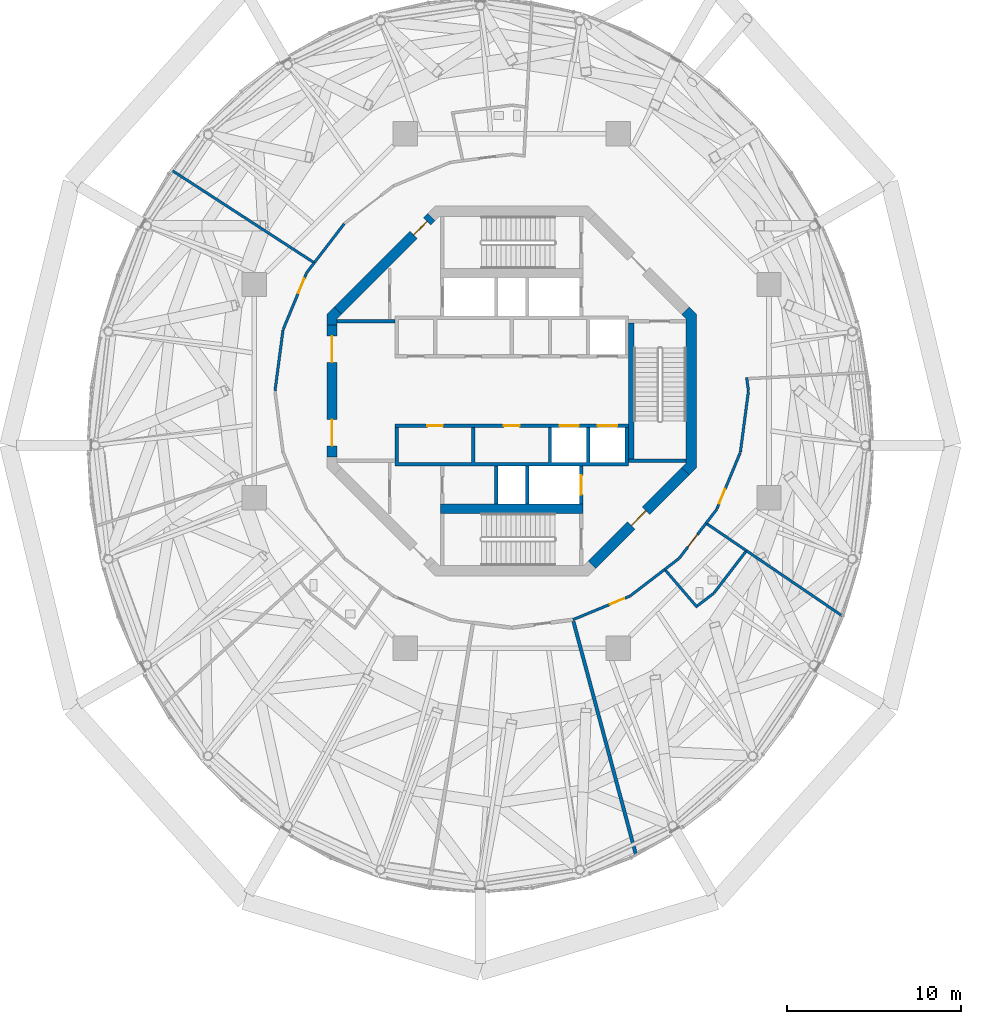
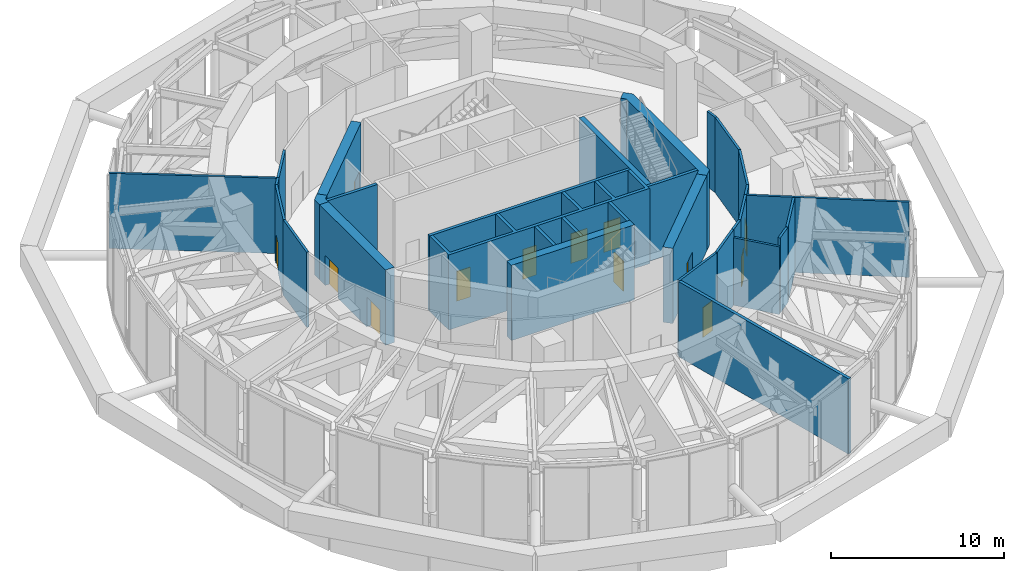
# One storey, part 14 of 22: 33 walls, 13 doors, 13 openings.
"""IFC4 building model written with IfcOpenShell, lengths in metres."""

from ifc_helpers import new_model, si_unit, direction, frame, frame_2d, origin, place, context, subcontext, project, spatial, polyline, rectangle, outline, extrude, material, layer, layer_set, type_object, element, fill, save


model = new_model("IFC4")

# Units and contexts
model_context = context("Model", 3, precision=1e-05, world=origin(), true_north=direction((0.0, 1.0)))
body_context = subcontext(model_context, "Body", "Model", "MODEL_VIEW")
ifc_project = project(units=[si_unit("LENGTHUNIT", "METRE"), si_unit("AREAUNIT", "SQUARE_METRE"), si_unit("VOLUMEUNIT", "CUBIC_METRE"), si_unit("PLANEANGLEUNIT", "RADIAN"), si_unit("MASSUNIT", "GRAM", prefix="KILO")], contexts=[model_context])

# Site, building, storey
site_placement = place(None, origin())
site = spatial("IfcSite", under=ifc_project, at=site_placement, CompositionType="ELEMENT")
building_placement = place(site_placement, origin())
building = spatial("IfcBuilding", under=site, at=building_placement, Name="Nagisa Residences", CompositionType="ELEMENT")
storey_placement = place(building_placement, frame((0.0, 0.0, 310.300048828125)))
storey = spatial("IfcBuildingStorey", under=building, at=storey_placement, Name="L77", CompositionType="ELEMENT", Elevation=310.300048828125)

# Wall
ifc_material_1 = material(Name="Gypsum board on steel studs", Category="steel")
ifc_layer_1 = layer(ifc_material_1, 0.199951171875)
ifc_layer_set_1 = layer_set([ifc_layer_1], Name="Core partition 200")
wall_type_1 = type_object("IfcWallType", Name="Core partition 200", PredefinedType="PARTITIONING", material=ifc_layer_set_1)
wall_1_placement = place(storey_placement, frame((-10.024658203125, 4.0, 0.0), z_axis=(0.0, 0.0, 1.0), x_axis=(1.0, 0.0, 0.0)))
element("IfcWall", 1, at=wall_1_placement, inside=storey, type_object=wall_type_1, Name="wall:L77:PNW", PredefinedType="PARTITIONING", context=body_context, shape_type="SweptSolid", body=[
    extrude(rectangle(XDim=3.32470703125, YDim=0.199951171875, at=frame_2d((1.662353515625, 0.0))), origin(), (0.0, 0.0, 1.0), 5.300048828125),
])

# Wall, opening, door
ifc_material_2 = material(Name="Concrete C60", Category="concrete")
ifc_layer_2 = layer(ifc_material_2, 0.60009765625)
ifc_layer_set_2 = layer_set([ifc_layer_2], Name="Core shear wall 600")
wall_type_2 = type_object("IfcWallType", Name="Core shear wall 600", PredefinedType="SHEAR", material=ifc_layer_set_2)
wall_2_placement = place(storey_placement, frame((-4.613037109375, 9.98828125, 0.0), z_axis=(0.0, 0.0, 1.0), x_axis=(-0.707106781187, -0.707106781187, 0.0)))
wall_2 = element("IfcWall", 2, at=wall_2_placement, inside=storey, type_object=wall_type_2, Name="wall:L77:core:flat3", PredefinedType="SHEAR", context=body_context, shape_type="SweptSolid", body=[
    extrude(rectangle(XDim=7.601806640625, YDim=0.60009765625, at=frame_2d((3.80078125, 0.0))), origin(), (0.0, 0.0, 1.0), 5.300048828125),
])
opening_1_placement = place(wall_2_placement, frame((0.350830078125, 0.0, 0.0)))
opening_1 = element("IfcOpeningElement", 3, at=opening_1_placement, cuts=wall_2, Name="Opening L77-C23", PredefinedType="OPENING", context=body_context, shape_type="SweptSolid", body=[
    extrude(rectangle(XDim=1.10009765625, YDim=2.10009765625, at=frame_2d((0.550048828125, 1.050048828125))), frame((0.0, 0.31005859375, 0.0), z_axis=(0.0, -1.0, 0.0), x_axis=(1.0, 0.0, 0.0)), (0.0, 0.0, 1.0), 0.6201171875),
])
ifc_material_3 = material(Name="Steel fire door", Category="steel")
door_type_1 = type_object("IfcDoorType", Name="Fire door EI60 1100x2100 single swing", OperationType="NOTDEFINED", PredefinedType="DOOR", material=ifc_material_3)
door_1_placement = place(opening_1_placement, origin())
door_1 = element("IfcDoor", 4, at=door_1_placement, inside=storey, type_object=door_type_1, Name="Service lobby door L77", OperationType="SINGLE_SWING_LEFT", OverallHeight=2.10009765625, OverallWidth=1.10009765625, PredefinedType="DOOR", context=body_context, shape_type="SweptSolid", body=[
    extrude(rectangle(XDim=1.10009765625, YDim=2.10009765625, at=frame_2d((0.550048828125, 1.050048828125))), frame((0.0, 0.02490234375, 0.0), z_axis=(0.0, -1.0, 0.0), x_axis=(1.0, 0.0, 0.0)), (0.0, 0.0, 1.0), 0.050048828125),
])
fill(opening_1, door_1)

# Wall, openings, doors
wall_3_placement = place(storey_placement, frame((-10.32470703125, 3.80078125, 0.0), z_axis=(0.0, 0.0, 1.0), x_axis=(0.0, -1.0, 0.0)))
wall_3 = element("IfcWall", 5, at=wall_3_placement, inside=storey, type_object=wall_type_2, Name="wall:L77:core:flat4", PredefinedType="SHEAR", context=body_context, shape_type="SweptSolid", body=[
    extrude(rectangle(XDim=7.6015625, YDim=0.60009765625, at=frame_2d((3.80078125, 0.0))), origin(), (0.0, 0.0, 1.0), 5.300048828125),
])
opening_2_placement = place(wall_3_placement, frame((0.65087890625, 0.0, 0.0)))
opening_2 = element("IfcOpeningElement", 6, at=opening_2_placement, cuts=wall_3, Name="Opening L77-C21", PredefinedType="OPENING", context=body_context, shape_type="SweptSolid", body=[
    extrude(rectangle(XDim=1.5, YDim=2.10009765625, at=frame_2d((0.75, 1.050048828125))), frame((0.0, 0.31005859375, 0.0), z_axis=(0.0, -1.0, 0.0), x_axis=(1.0, 0.0, 0.0)), (0.0, 0.0, 1.0), 0.6201171875),
])
opening_3_placement = place(wall_3_placement, frame((5.450927734375, 0.0, 0.0)))
opening_3 = element("IfcOpeningElement", 7, at=opening_3_placement, cuts=wall_3, Name="Opening L77-C22", PredefinedType="OPENING", context=body_context, shape_type="SweptSolid", body=[
    extrude(rectangle(XDim=1.5, YDim=2.10009765625, at=frame_2d((0.75, 1.050048828125))), frame((0.0, 0.31005859375, 0.0), z_axis=(0.0, -1.0, 0.0), x_axis=(1.0, 0.0, 0.0)), (0.0, 0.0, 1.0), 0.6201171875),
])
ifc_material_4 = material(Name="Steel fire door", Category="steel")
door_type_2 = type_object("IfcDoorType", Name="Fire door EI60 1500x2100 double door single swing", OperationType="DOUBLE_DOOR_SINGLE_SWING", PredefinedType="DOOR", material=ifc_material_4)
door_2_placement = place(opening_2_placement, origin())
door_2 = element("IfcDoor", 8, at=door_2_placement, inside=storey, type_object=door_type_2, Name="Lift lobby door L77 1", OperationType="DOUBLE_DOOR_SINGLE_SWING", OverallHeight=2.10009765625, OverallWidth=1.5, PredefinedType="DOOR", context=body_context, shape_type="SweptSolid", body=[
    extrude(rectangle(XDim=1.5, YDim=2.10009765625, at=frame_2d((0.75, 1.050048828125))), frame((0.0, 0.02490234375, 0.0), z_axis=(0.0, -1.0, 0.0), x_axis=(1.0, 0.0, 0.0)), (0.0, 0.0, 1.0), 0.050048828125),
])
fill(opening_2, door_2)
door_3_placement = place(opening_3_placement, origin())
door_3 = element("IfcDoor", 9, at=door_3_placement, inside=storey, type_object=door_type_2, Name="Lift lobby door L77 2", OperationType="DOUBLE_DOOR_SINGLE_SWING", OverallHeight=2.10009765625, OverallWidth=1.5, PredefinedType="DOOR", context=body_context, shape_type="SweptSolid", body=[
    extrude(rectangle(XDim=1.5, YDim=2.10009765625, at=frame_2d((0.75, 1.050048828125))), frame((0.0, 0.02490234375, 0.0), z_axis=(0.0, -1.0, 0.0), x_axis=(1.0, 0.0, 0.0)), (0.0, 0.0, 1.0), 0.050048828125),
])
fill(opening_3, door_3)

# Wall, opening, door
wall_4_placement = place(storey_placement, frame((4.613037109375, -9.98828125, 0.0), z_axis=(0.0, 0.0, 1.0), x_axis=(0.707106781187, 0.707106781187, 0.0)))
wall_4 = element("IfcWall", 10, at=wall_4_placement, inside=storey, type_object=wall_type_2, Name="wall:L77:core:flat7", PredefinedType="SHEAR", context=body_context, shape_type="SweptSolid", body=[
    extrude(rectangle(XDim=7.601806640625, YDim=0.60009765625, at=frame_2d((3.80078125, 0.0))), origin(), (0.0, 0.0, 1.0), 5.300048828125),
])
opening_4_placement = place(wall_4_placement, frame((3.200927734375, 0.0, 0.0)))
opening_4 = element("IfcOpeningElement", 11, at=opening_4_placement, cuts=wall_4, Name="Opening L77-C20", PredefinedType="OPENING", context=body_context, shape_type="SweptSolid", body=[
    extrude(rectangle(XDim=1.199951171875, YDim=2.10009765625, at=frame_2d((0.60009765625, 1.050048828125))), frame((0.0, 0.31005859375, 0.0), z_axis=(0.0, -1.0, 0.0), x_axis=(1.0, 0.0, 0.0)), (0.0, 0.0, 1.0), 0.6201171875),
])
ifc_material_5 = material(Name="Steel fire door", Category="steel")
door_type_3 = type_object("IfcDoorType", Name="Fire door EI60 1200x2100 single swing", OperationType="NOTDEFINED", PredefinedType="DOOR", material=ifc_material_5)
door_4_placement = place(opening_4_placement, origin())
door_4 = element("IfcDoor", 12, at=door_4_placement, inside=storey, type_object=door_type_3, Name="Firefighting lobby 2 door L77", OperationType="SINGLE_SWING_LEFT", OverallHeight=2.10009765625, OverallWidth=1.199951171875, PredefinedType="DOOR", context=body_context, shape_type="SweptSolid", body=[
    extrude(rectangle(XDim=1.199951171875, YDim=2.10009765625, at=frame_2d((0.60009765625, 1.050048828125))), frame((0.0, 0.02490234375, 0.0), z_axis=(0.0, -1.0, 0.0), x_axis=(1.0, 0.0, 0.0)), (0.0, 0.0, 1.0), 0.050048828125),
])
fill(opening_4, door_4)

# Walls
wall_5_placement = place(storey_placement, origin())
element("IfcWall", 13, at=wall_5_placement, inside=storey, type_object=wall_type_2, Name="wall:L77:core:pier3", PredefinedType="SHEAR", context=body_context, shape_type="SweptSolid", body=[
    extrude(outline(polyline([(-10.200439453125, 4.8251953125), (-9.776123046875, 4.40087890625), (-10.024658203125, 4.15234375), (-10.024658203125, 3.80078125), (-10.62451171875, 3.80078125), (-10.62451171875, 4.40087890625), (-10.200439453125, 4.8251953125)])), origin(), (0.0, 0.0, 1.0), 5.300048828125),
])
wall_6_placement = place(storey_placement, origin())
element("IfcWall", 14, at=wall_6_placement, inside=storey, type_object=wall_type_2, Name="wall:L77:core:flat0", PredefinedType="SHEAR", context=body_context, shape_type="SweptSolid", body=[
    extrude(outline(polyline([(9.776123046875, -4.40087890625), (10.024658203125, -4.15234375), (10.024658203125, -3.801025390625), (10.024658203125, 4.15234375), (9.776123046875, 4.40087890625), (10.200439453125, 4.8251953125), (10.62451171875, 4.40087890625), (10.62451171875, -4.40087890625), (10.200439453125, -4.8251953125), (9.776123046875, -4.40087890625)])), origin(), (0.0, 0.0, 1.0), 5.300048828125),
])

# Wall, opening, door
ifc_material_6 = material(Name="Concrete C60", Category="concrete")
ifc_layer_3 = layer(ifc_material_6, 0.199951171875)
ifc_layer_set_3 = layer_set([ifc_layer_3], Name="Lift shaft wall 200")
wall_type_3 = type_object("IfcWallType", Name="Lift shaft wall 200", PredefinedType="SOLIDWALL", material=ifc_layer_set_3)
wall_7_placement = place(storey_placement, frame((4.0, -6.5, 0.0), z_axis=(0.0, 0.0, 1.0), x_axis=(0.0, 1.0, 0.0)))
wall_7 = element("IfcWall", 15, at=wall_7_placement, inside=storey, type_object=wall_type_3, Name="wall:L77:Sb3", PredefinedType="SOLIDWALL", context=body_context, shape_type="SweptSolid", body=[
    extrude(rectangle(XDim=2.199951171875, YDim=0.199951171875, at=frame_2d((1.10009765625, 0.0))), origin(), (0.0, 0.0, 1.0), 5.300048828125),
])
opening_5_placement = place(wall_7_placement, frame((0.550048828125, 0.0, 0.0)))
opening_5 = element("IfcOpeningElement", 16, at=opening_5_placement, cuts=wall_7, Name="Opening L77-C05", PredefinedType="OPENING", context=body_context, shape_type="SweptSolid", body=[
    extrude(rectangle(XDim=1.10009765625, YDim=2.10009765625, at=frame_2d((0.550048828125, 1.050048828125))), frame((0.0, 0.10986328125, 0.0), z_axis=(0.0, -1.0, 0.0), x_axis=(1.0, 0.0, 0.0)), (0.0, 0.0, 1.0), 0.219970703125),
])
ifc_material_7 = material(Name="Stainless steel", Category="steel")
door_type_4 = type_object("IfcDoorType", Name="Lift landing door 1100x2100", OperationType="DOUBLE_DOOR_SLIDING", PredefinedType="DOOR", material=ifc_material_7)
door_5_placement = place(opening_5_placement, origin())
door_5 = element("IfcDoor", 17, at=door_5_placement, inside=storey, type_object=door_type_4, Name="Landing door FL2 L77", OperationType="DOUBLE_DOOR_SLIDING", OverallHeight=2.10009765625, OverallWidth=1.10009765625, PredefinedType="DOOR", context=body_context, shape_type="SweptSolid", body=[
    extrude(rectangle(XDim=1.10009765625, YDim=2.10009765625, at=frame_2d((0.550048828125, 1.050048828125))), frame((0.0, 0.02490234375, 0.0), z_axis=(0.0, -1.0, 0.0), x_axis=(1.0, 0.0, 0.0)), (0.0, 0.0, 1.0), 0.050048828125),
])
fill(opening_5, door_5)

# Wall, openings, doors
wall_8_placement = place(storey_placement, frame((-6.699951171875, -2.0, 0.0), z_axis=(0.0, 0.0, 1.0), x_axis=(1.0, 0.0, 0.0)))
wall_8 = element("IfcWall", 18, at=wall_8_placement, inside=storey, type_object=wall_type_3, Name="wall:L77:Sfront", PredefinedType="SOLIDWALL", context=body_context, shape_type="SweptSolid", body=[
    extrude(rectangle(XDim=13.39990234375, YDim=0.199951171875, at=frame_2d((6.699951171875, 0.0))), origin(), (0.0, 0.0, 1.0), 5.300048828125),
])
opening_6_placement = place(wall_8_placement, frame((9.449951171875, 0.0, 0.0)))
opening_6 = element("IfcOpeningElement", 19, at=opening_6_placement, cuts=wall_8, Name="Opening L77-C02", PredefinedType="OPENING", context=body_context, shape_type="SweptSolid", body=[
    extrude(rectangle(XDim=1.10009765625, YDim=2.10009765625, at=frame_2d((0.550048828125, 1.050048828125))), frame((0.0, 0.10986328125, 0.0), z_axis=(0.0, -1.0, 0.0), x_axis=(1.0, 0.0, 0.0)), (0.0, 0.0, 1.0), 0.219970703125),
])
opening_7_placement = place(wall_8_placement, frame((11.64990234375, 0.0, 0.0)))
opening_7 = element("IfcOpeningElement", 20, at=opening_7_placement, cuts=wall_8, Name="Opening L77-C03", PredefinedType="OPENING", context=body_context, shape_type="SweptSolid", body=[
    extrude(rectangle(XDim=1.10009765625, YDim=2.10009765625, at=frame_2d((0.550048828125, 1.050048828125))), frame((0.0, 0.10986328125, 0.0), z_axis=(0.0, -1.0, 0.0), x_axis=(1.0, 0.0, 0.0)), (0.0, 0.0, 1.0), 0.219970703125),
])
opening_8_placement = place(wall_8_placement, frame((1.85009765625, 0.0, 0.0)))
opening_8 = element("IfcOpeningElement", 21, at=opening_8_placement, cuts=wall_8, Name="Opening L77-C17", PredefinedType="OPENING", context=body_context, shape_type="SweptSolid", body=[
    extrude(rectangle(XDim=0.89990234375, YDim=2.10009765625, at=frame_2d((0.449951171875, 1.050048828125))), frame((0.0, 0.10986328125, 0.0), z_axis=(0.0, -1.0, 0.0), x_axis=(1.0, 0.0, 0.0)), (0.0, 0.0, 1.0), 0.219970703125),
])
opening_9_placement = place(wall_8_placement, frame((6.25, 0.0, 0.0)))
opening_9 = element("IfcOpeningElement", 22, at=opening_9_placement, cuts=wall_8, Name="Opening L77-C18", PredefinedType="OPENING", context=body_context, shape_type="SweptSolid", body=[
    extrude(rectangle(XDim=0.89990234375, YDim=2.10009765625, at=frame_2d((0.449951171875, 1.050048828125))), frame((0.0, 0.10986328125, 0.0), z_axis=(0.0, -1.0, 0.0), x_axis=(1.0, 0.0, 0.0)), (0.0, 0.0, 1.0), 0.219970703125),
])
ifc_material_8 = material(Name="Steel fire door", Category="steel")
door_type_5 = type_object("IfcDoorType", Name="Fire door EI30 900x2100 single swing", OperationType="NOTDEFINED", PredefinedType="DOOR", material=ifc_material_8)
door_6_placement = place(opening_8_placement, frame((0.89990234375, 0.0, 0.0), x_axis=(-1.0, 0.0, 0.0)))
door_6 = element("IfcDoor", 23, at=door_6_placement, inside=storey, type_object=door_type_5, Name="Housekeeping store door L77", OperationType="SINGLE_SWING_RIGHT", OverallHeight=2.10009765625, OverallWidth=0.89990234375, PredefinedType="DOOR", context=body_context, shape_type="SweptSolid", body=[
    extrude(rectangle(XDim=0.89990234375, YDim=2.10009765625, at=frame_2d((0.449951171875, 1.050048828125))), frame((0.0, 0.02490234375, 0.0), z_axis=(0.0, -1.0, 0.0), x_axis=(1.0, 0.0, 0.0)), (0.0, 0.0, 1.0), 0.050048828125),
])
fill(opening_8, door_6)
door_7_placement = place(opening_9_placement, frame((0.89990234375, 0.0, 0.0), x_axis=(-1.0, 0.0, 0.0)))
door_7 = element("IfcDoor", 24, at=door_7_placement, inside=storey, type_object=door_type_5, Name="Owner storage door L77", OperationType="SINGLE_SWING_RIGHT", OverallHeight=2.10009765625, OverallWidth=0.89990234375, PredefinedType="DOOR", context=body_context, shape_type="SweptSolid", body=[
    extrude(rectangle(XDim=0.89990234375, YDim=2.10009765625, at=frame_2d((0.449951171875, 1.050048828125))), frame((0.0, 0.02490234375, 0.0), z_axis=(0.0, -1.0, 0.0), x_axis=(1.0, 0.0, 0.0)), (0.0, 0.0, 1.0), 0.050048828125),
])
fill(opening_9, door_7)
door_8_placement = place(opening_6_placement, origin())
door_8 = element("IfcDoor", 25, at=door_8_placement, inside=storey, type_object=door_type_4, Name="Landing door C2 L77", OperationType="DOUBLE_DOOR_SLIDING", OverallHeight=2.10009765625, OverallWidth=1.10009765625, PredefinedType="DOOR", context=body_context, shape_type="SweptSolid", body=[
    extrude(rectangle(XDim=1.10009765625, YDim=2.10009765625, at=frame_2d((0.550048828125, 1.050048828125))), frame((0.0, 0.02490234375, 0.0), z_axis=(0.0, -1.0, 0.0), x_axis=(1.0, 0.0, 0.0)), (0.0, 0.0, 1.0), 0.050048828125),
])
fill(opening_6, door_8)
door_9_placement = place(opening_7_placement, origin())
door_9 = element("IfcDoor", 26, at=door_9_placement, inside=storey, type_object=door_type_4, Name="Landing door C3 L77", OperationType="DOUBLE_DOOR_SLIDING", OverallHeight=2.10009765625, OverallWidth=1.10009765625, PredefinedType="DOOR", context=body_context, shape_type="SweptSolid", body=[
    extrude(rectangle(XDim=1.10009765625, YDim=2.10009765625, at=frame_2d((0.550048828125, 1.050048828125))), frame((0.0, 0.02490234375, 0.0), z_axis=(0.0, -1.0, 0.0), x_axis=(1.0, 0.0, 0.0)), (0.0, 0.0, 1.0), 0.050048828125),
])
fill(opening_7, door_9)

# Walls
for number, where, z_axis, x_axis, name in (
    (27, (-0.89990234375, -6.5, 0.0), (0.0, 0.0, 1.0), (0.0, 1.0, 0.0), "wall:L77:Sb1"),
    (28, (0.89990234375, -6.5, 0.0), (0.0, 0.0, 1.0), (0.0, 1.0, 0.0), "wall:L77:Sb2"),
):
    element("IfcWall", number, at=place(storey_placement, frame(where, z_axis=z_axis, x_axis=x_axis)), inside=storey, type_object=wall_type_3, Name=name, PredefinedType="SOLIDWALL", context=body_context, shape_type="SweptSolid", body=[
        extrude(rectangle(XDim=2.199951171875, YDim=0.199951171875, at=frame_2d((1.10009765625, 0.0))), origin(), (0.0, 0.0, 1.0), 5.300048828125),
    ])
wall_9_placement = place(storey_placement, origin())
element("IfcWall", 29, at=wall_9_placement, inside=storey, type_object=wall_type_3, Name="wall:L77:Sback", PredefinedType="SOLIDWALL", context=body_context, shape_type="SweptSolid", body=[
    extrude(outline(polyline([(-6.699951171875, -2.10009765625), (-6.5, -2.10009765625), (-6.5, -4.10009765625), (-2.300048828125, -4.10009765625), (-2.300048828125, -2.10009765625), (-2.10009765625, -2.10009765625), (-2.10009765625, -4.10009765625), (2.10009765625, -4.10009765625), (2.10009765625, -2.10009765625), (2.300048828125, -2.10009765625), (2.300048828125, -4.10009765625), (4.300048828125, -4.10009765625), (4.300048828125, -2.10009765625), (4.5, -2.10009765625), (4.5, -4.10009765625), (6.5, -4.10009765625), (6.5, -2.10009765625), (6.699951171875, -2.10009765625), (6.699951171875, -4.300048828125), (-6.699951171875, -4.300048828125), (-6.699951171875, -2.10009765625)])), origin(), (0.0, 0.0, 1.0), 5.300048828125),
])
ifc_material_9 = material(Name="Gypsum board on steel studs", Category="steel")
ifc_layer_4 = layer(ifc_material_9, 0.199951171875)
ifc_layer_set_4 = layer_set([ifc_layer_4], Name="Plant room wall EI120 200")
wall_type_4 = type_object("IfcWallType", Name="Plant room wall EI120 200", PredefinedType="PARTITIONING", material=ifc_layer_set_4)
wall_10_placement = place(storey_placement, frame((7.134765625, -26.62744140625, 0.0), z_axis=(0.0, 0.0, 1.0), x_axis=(-0.258828495285, 0.965923294071, 0.0)))
element("IfcWall", 30, at=wall_10_placement, inside=storey, type_object=wall_type_4, Name="wall:L77:am047", PredefinedType="PARTITIONING", context=body_context, shape_type="SweptSolid", body=[
    extrude(rectangle(XDim=13.86572265625, YDim=0.199951171875, at=frame_2d((6.932861328125, 0.0))), origin(), (0.0, 0.0, 1.0), 5.300048828125),
])
ifc_material_10 = material(Name="Gypsum board on steel studs", Category="steel")
ifc_layer_5 = layer(ifc_material_10, 0.14990234375)
ifc_layer_set_5 = layer_set([ifc_layer_5], Name="Room partition EI60 150")
wall_type_5 = type_object("IfcWallType", Name="Room partition EI60 150", PredefinedType="PARTITIONING", material=ifc_layer_set_5)
wall_11_placement = place(storey_placement, frame((-13.598388671875, 0.01171875, 0.0), z_axis=(0.0, 0.0, 1.0), x_axis=(0.130499283623, 0.991448403586, 0.0)))
element("IfcWall", 31, at=wall_11_placement, inside=storey, type_object=wall_type_5, Name="wall:L77:am000", PredefinedType="PARTITIONING", context=body_context, shape_type="SweptSolid", body=[
    extrude(rectangle(XDim=3.526611328125, YDim=0.14990234375, at=frame_2d((1.76318359375, 0.0))), origin(), (0.0, 0.0, 1.0), 5.300048828125),
])

# Wall, opening, door
wall_12_placement = place(storey_placement, frame((-13.132080078125, 3.53076171875, 0.0), z_axis=(0.0, 0.0, 1.0), x_axis=(0.382677866108, 0.923881838111, 0.0)))
wall_12 = element("IfcWall", 32, at=wall_12_placement, inside=storey, type_object=wall_type_5, Name="wall:L77:am002", PredefinedType="PARTITIONING", context=body_context, shape_type="SweptSolid", body=[
    extrude(rectangle(XDim=3.52685546875, YDim=0.14990234375, at=frame_2d((1.763427734375, 0.0))), origin(), (0.0, 0.0, 1.0), 5.300048828125),
])
opening_10_placement = place(wall_12_placement, frame((2.281005859375, 0.0, 0.0)))
opening_10 = element("IfcOpeningElement", 33, at=opening_10_placement, cuts=wall_12, Name="Opening L77-A03", PredefinedType="OPENING", context=body_context, shape_type="SweptSolid", body=[
    extrude(rectangle(XDim=0.89990234375, YDim=2.10009765625, at=frame_2d((0.449951171875, 1.050048828125))), frame((0.0, 0.0849609375, 0.0), z_axis=(0.0, -1.0, 0.0), x_axis=(1.0, 0.0, 0.0)), (0.0, 0.0, 1.0), 0.169921875),
])
door_10_placement = place(opening_10_placement, origin())
door_10 = element("IfcDoor", 34, at=door_10_placement, inside=storey, type_object=door_type_5, Name="Cigar and tea room door", OperationType="SINGLE_SWING_LEFT", OverallHeight=2.10009765625, OverallWidth=0.89990234375, PredefinedType="DOOR", context=body_context, shape_type="SweptSolid", body=[
    extrude(rectangle(XDim=0.89990234375, YDim=2.10009765625, at=frame_2d((0.449951171875, 1.050048828125))), frame((0.0, 0.02490234375, 0.0), z_axis=(0.0, -1.0, 0.0), x_axis=(1.0, 0.0, 0.0)), (0.0, 0.0, 1.0), 0.050048828125),
])
fill(opening_10, door_10)

# Walls
wall_13_placement = place(storey_placement, frame((-11.770751953125, 6.809326171875, 0.0), z_axis=(0.0, 0.0, 1.0), x_axis=(0.608752635326, 0.793360087844, 0.0)))
element("IfcWall", 35, at=wall_13_placement, inside=storey, type_object=wall_type_5, Name="wall:L77:am007", PredefinedType="PARTITIONING", context=body_context, shape_type="SweptSolid", body=[
    extrude(rectangle(XDim=0.7021484375, YDim=0.14990234375, at=frame_2d((0.35107421875, 0.0))), origin(), (0.0, 0.0, 1.0), 5.300048828125),
])
wall_14_placement = place(storey_placement, frame((-11.406494140625, 7.407470703125, 0.0), z_axis=(0.0, 0.0, 1.0), x_axis=(-0.838666041452, 0.54464600514, 0.0)))
element("IfcWall", 36, at=wall_14_placement, inside=storey, type_object=wall_type_5, Name="wall:L77:am009", PredefinedType="PARTITIONING", context=body_context, shape_type="SweptSolid", body=[
    extrude(rectangle(XDim=9.677001953125, YDim=0.14990234375, at=frame_2d((4.83837890625, 0.0))), origin(), (0.0, 0.0, 1.0), 5.300048828125),
])
wall_15_placement = place(storey_placement, frame((-11.34326171875, 7.366455078125, 0.0), z_axis=(0.0, 0.0, 1.0), x_axis=(0.608732750311, 0.793375345407, 0.0)))
element("IfcWall", 37, at=wall_15_placement, inside=storey, type_object=wall_type_5, Name="wall:L77:am010", PredefinedType="PARTITIONING", context=body_context, shape_type="SweptSolid", body=[
    extrude(rectangle(XDim=2.82421875, YDim=0.14990234375, at=frame_2d((1.412109375, 0.0))), origin(), (0.0, 0.0, 1.0), 5.300048828125),
])

# Wall, opening, door
wall_16_placement = place(storey_placement, frame((6.7890625, -11.782470703125, 0.0), z_axis=(0.0, 0.0, 1.0), x_axis=(-0.923862934009, -0.382723502237, 0.0)))
wall_16 = element("IfcWall", 38, at=wall_16_placement, inside=storey, type_object=wall_type_5, Name="wall:L77:am030", PredefinedType="PARTITIONING", context=body_context, shape_type="SweptSolid", body=[
    extrude(rectangle(XDim=3.538330078125, YDim=0.14990234375, at=frame_2d((1.76904296875, 0.0))), origin(), (0.0, 0.0, 1.0), 5.300048828125),
])
opening_11_placement = place(wall_16_placement, frame((0.345703125, 0.0, 0.0)))
opening_11 = element("IfcOpeningElement", 39, at=opening_11_placement, cuts=wall_16, Name="Opening L77-A09", PredefinedType="OPENING", context=body_context, shape_type="SweptSolid", body=[
    extrude(rectangle(XDim=0.89990234375, YDim=2.10009765625, at=frame_2d((0.449951171875, 1.050048828125))), frame((0.0, 0.0849609375, 0.0), z_axis=(0.0, -1.0, 0.0), x_axis=(1.0, 0.0, 0.0)), (0.0, 0.0, 1.0), 0.169921875),
])
door_11_placement = place(opening_11_placement, origin())
door_11 = element("IfcDoor", 40, at=door_11_placement, inside=storey, type_object=door_type_5, Name="Cloakroom door", OperationType="SINGLE_SWING_LEFT", OverallHeight=2.10009765625, OverallWidth=0.89990234375, PredefinedType="DOOR", context=body_context, shape_type="SweptSolid", body=[
    extrude(rectangle(XDim=0.89990234375, YDim=2.10009765625, at=frame_2d((0.449951171875, 1.050048828125))), frame((0.0, 0.02490234375, 0.0), z_axis=(0.0, -1.0, 0.0), x_axis=(1.0, 0.0, 0.0)), (0.0, 0.0, 1.0), 0.050048828125),
])
fill(opening_11, door_11)

# Walls
wall_17_placement = place(storey_placement, frame((8.790771484375, -10.25048828125, 0.0), z_axis=(0.0, 0.0, 1.0), x_axis=(-0.7933828864, -0.608722921835, 0.0)))
element("IfcWall", 41, at=wall_17_placement, inside=storey, type_object=wall_type_5, Name="wall:L77:am031", PredefinedType="PARTITIONING", context=body_context, shape_type="SweptSolid", body=[
    extrude(rectangle(XDim=2.49755859375, YDim=0.14990234375, at=frame_2d((1.248779296875, 0.0))), origin(), (0.0, 0.0, 1.0), 5.300048828125),
])
wall_18_placement = place(storey_placement, frame((9.607177734375, -9.6240234375, 0.0), z_axis=(0.0, 0.0, 1.0), x_axis=(-0.793346631306, -0.608770172228, 0.0)))
element("IfcWall", 42, at=wall_18_placement, inside=storey, type_object=wall_type_5, Name="wall:L77:am032", PredefinedType="PARTITIONING", context=body_context, shape_type="SweptSolid", body=[
    extrude(rectangle(XDim=1.029052734375, YDim=0.14990234375, at=frame_2d((0.5146484375, 0.0))), origin(), (0.0, 0.0, 1.0), 5.300048828125),
])
wall_19_placement = place(storey_placement, frame((10.665283203125, -12.435791015625, 0.0), z_axis=(0.0, 0.0, 1.0), x_axis=(-0.651063790324, 0.759023017391, 0.0)))
element("IfcWall", 43, at=wall_19_placement, inside=storey, type_object=wall_type_5, Name="wall:L77:am033", PredefinedType="PARTITIONING", context=body_context, shape_type="SweptSolid", body=[
    extrude(rectangle(XDim=2.80419921875, YDim=0.14990234375, at=frame_2d((1.402099609375, 0.0))), origin(), (0.0, 0.0, 1.0), 4.764892578125),
])

# Wall, opening, door
wall_20_placement = place(storey_placement, frame((11.166748046875, -7.596435546875, 0.0), z_axis=(0.0, 0.0, 1.0), x_axis=(-0.60871867817, -0.793386142334, 0.0)))
wall_20 = element("IfcWall", 44, at=wall_20_placement, inside=storey, type_object=wall_type_5, Name="wall:L77:am034", PredefinedType="PARTITIONING", context=body_context, shape_type="SweptSolid", body=[
    extrude(rectangle(XDim=2.534423828125, YDim=0.14990234375, at=frame_2d((1.26708984375, 0.0))), origin(), (0.0, 0.0, 1.0), 5.300048828125),
])
opening_12_placement = place(wall_20_placement, frame((0.8232421875, 0.0, 0.0)))
opening_12 = element("IfcOpeningElement", 45, at=opening_12_placement, cuts=wall_20, Name="Opening L77-A08", PredefinedType="OPENING", context=body_context, shape_type="SweptSolid", body=[
    extrude(rectangle(XDim=0.89990234375, YDim=2.10009765625, at=frame_2d((0.449951171875, 1.050048828125))), frame((0.0, 0.0849609375, 0.0), z_axis=(0.0, -1.0, 0.0), x_axis=(1.0, 0.0, 0.0)), (0.0, 0.0, 1.0), 0.169921875),
])
door_12_placement = place(opening_12_placement, origin())
door_12 = element("IfcDoor", 46, at=door_12_placement, inside=storey, type_object=door_type_5, Name="WC 2 door", OperationType="SINGLE_SWING_RIGHT", OverallHeight=2.10009765625, OverallWidth=0.89990234375, PredefinedType="DOOR", context=body_context, shape_type="SweptSolid", body=[
    extrude(rectangle(XDim=0.89990234375, YDim=2.10009765625, at=frame_2d((0.449951171875, 1.050048828125))), frame((0.0, 0.02490234375, 0.0), z_axis=(0.0, -1.0, 0.0), x_axis=(1.0, 0.0, 0.0)), (0.0, 0.0, 1.0), 0.050048828125),
])
fill(opening_12, door_12)

# Walls
wall_21_placement = place(storey_placement, frame((11.22900390625, -7.638671875, 0.0), z_axis=(0.0, 0.0, 1.0), x_axis=(0.826811683889, -0.56247883461, 0.0)))
element("IfcWall", 47, at=wall_21_placement, inside=storey, type_object=wall_type_5, Name="wall:L77:am035", PredefinedType="PARTITIONING", context=body_context, shape_type="SweptSolid", body=[
    extrude(rectangle(XDim=2.729248046875, YDim=0.14990234375, at=frame_2d((1.36474609375, 0.0))), origin(), (0.0, 0.0, 1.0), 5.300048828125),
])
wall_22_placement = place(storey_placement, frame((11.604248046875, -11.620849609375, 0.0), z_axis=(0.0, 0.0, 1.0), x_axis=(-0.793367902565, -0.608742450614, 0.0)))
element("IfcWall", 48, at=wall_22_placement, inside=storey, type_object=wall_type_5, Name="wall:L77:am036", PredefinedType="PARTITIONING", context=body_context, shape_type="SweptSolid", body=[
    extrude(rectangle(XDim=1.170166015625, YDim=0.14990234375, at=frame_2d((0.5849609375, 0.0))), origin(), (0.0, 0.0, 1.0), 5.300048828125),
])
wall_23_placement = place(storey_placement, frame((11.770751953125, -6.809326171875, 0.0), z_axis=(0.0, 0.0, 1.0), x_axis=(-0.608782769852, -0.793336964431, 0.0)))
element("IfcWall", 49, at=wall_23_placement, inside=storey, type_object=wall_type_5, Name="wall:L77:am037", PredefinedType="PARTITIONING", context=body_context, shape_type="SweptSolid", body=[
    extrude(rectangle(XDim=0.9921875, YDim=0.14990234375, at=frame_2d((0.49609375, 0.0))), origin(), (0.0, 0.0, 1.0), 5.300048828125),
])

# Wall, opening, door
wall_24_placement = place(storey_placement, frame((13.132080078125, -3.53076171875, 0.0), z_axis=(0.0, 0.0, 1.0), x_axis=(-0.382677866108, -0.923881838111, 0.0)))
wall_24 = element("IfcWall", 50, at=wall_24_placement, inside=storey, type_object=wall_type_5, Name="wall:L77:am038", PredefinedType="PARTITIONING", context=body_context, shape_type="SweptSolid", body=[
    extrude(rectangle(XDim=3.52685546875, YDim=0.14990234375, at=frame_2d((1.763427734375, 0.0))), origin(), (0.0, 0.0, 1.0), 5.300048828125),
])
opening_13_placement = place(wall_24_placement, frame((2.281005859375, 0.0, 0.0)))
opening_13 = element("IfcOpeningElement", 51, at=opening_13_placement, cuts=wall_24, Name="Opening L77-A10", PredefinedType="OPENING", context=body_context, shape_type="SweptSolid", body=[
    extrude(rectangle(XDim=0.89990234375, YDim=2.10009765625, at=frame_2d((0.449951171875, 1.050048828125))), frame((0.0, 0.0849609375, 0.0), z_axis=(0.0, -1.0, 0.0), x_axis=(1.0, 0.0, 0.0)), (0.0, 0.0, 1.0), 0.169921875),
])
door_13_placement = place(opening_13_placement, origin())
door_13 = element("IfcDoor", 52, at=door_13_placement, inside=storey, type_object=door_type_5, Name="Lounge office door", OperationType="SINGLE_SWING_RIGHT", OverallHeight=2.10009765625, OverallWidth=0.89990234375, PredefinedType="DOOR", context=body_context, shape_type="SweptSolid", body=[
    extrude(rectangle(XDim=0.89990234375, YDim=2.10009765625, at=frame_2d((0.449951171875, 1.050048828125))), frame((0.0, 0.02490234375, 0.0), z_axis=(0.0, -1.0, 0.0), x_axis=(1.0, 0.0, 0.0)), (0.0, 0.0, 1.0), 0.050048828125),
])
fill(opening_13, door_13)

# Walls
wall_25_placement = place(storey_placement, frame((13.43994140625, -9.2333984375, 0.0), z_axis=(0.0, 0.0, 1.0), x_axis=(-0.60873508117, -0.793373557004, 0.0)))
element("IfcWall", 53, at=wall_25_placement, inside=storey, type_object=wall_type_5, Name="wall:L77:am039", PredefinedType="PARTITIONING", context=body_context, shape_type="SweptSolid", body=[
    extrude(rectangle(XDim=2.98828125, YDim=0.14990234375, at=frame_2d((1.494140625, 0.0))), origin(), (0.0, 0.0, 1.0), 5.300048828125),
])
wall_26_placement = place(storey_placement, frame((13.485595703125, -9.173828125, 0.0), z_axis=(0.0, 0.0, 1.0), x_axis=(0.826826499796, -0.562457055459, 0.0)))
element("IfcWall", 54, at=wall_26_placement, inside=storey, type_object=wall_type_5, Name="wall:L77:am040", PredefinedType="PARTITIONING", context=body_context, shape_type="SweptSolid", body=[
    extrude(rectangle(XDim=6.67578125, YDim=0.14990234375, at=frame_2d((3.337890625, 0.0))), origin(), (0.0, 0.0, 1.0), 5.300048828125),
])
wall_27_placement = place(storey_placement, frame((13.4970703125, 0.782470703125, 0.0), z_axis=(0.0, 0.0, 1.0), x_axis=(0.130332652421, -0.991470322154, 0.0)))
element("IfcWall", 55, at=wall_27_placement, inside=storey, type_object=wall_type_5, Name="wall:L77:am041", PredefinedType="PARTITIONING", context=body_context, shape_type="SweptSolid", body=[
    extrude(rectangle(XDim=0.77734375, YDim=0.14990234375, at=frame_2d((0.388671875, 0.0))), origin(), (0.0, 0.0, 1.0), 5.300048828125),
])
wall_28_placement = place(storey_placement, frame((13.598388671875, -0.01171875, 0.0), z_axis=(0.0, 0.0, 1.0), x_axis=(-0.130499283623, -0.991448403586, 0.0)))
element("IfcWall", 56, at=wall_28_placement, inside=storey, type_object=wall_type_5, Name="wall:L77:am042", PredefinedType="PARTITIONING", context=body_context, shape_type="SweptSolid", body=[
    extrude(rectangle(XDim=3.526611328125, YDim=0.14990234375, at=frame_2d((1.76318359375, 0.0))), origin(), (0.0, 0.0, 1.0), 5.300048828125),
])
ifc_material_11 = material(Name="Concrete C60", Category="concrete")
ifc_layer_6 = layer(ifc_material_11, 0.199951171875)
ifc_layer_set_6 = layer_set([ifc_layer_6], Name="Stair enclosure wall 200")
wall_type_6 = type_object("IfcWallType", Name="Stair enclosure wall 200", PredefinedType="SOLIDWALL", material=ifc_layer_set_6)
wall_29_placement = place(storey_placement, origin())
element("IfcWall", 57, at=wall_29_placement, inside=storey, type_object=wall_type_6, Name="wall:L77:SS_n", PredefinedType="SOLIDWALL", context=body_context, shape_type="SweptSolid", body=[
    extrude(outline(polyline([(4.10009765625, -7.024658203125), (-4.10009765625, -7.024658203125), (-4.10009765625, -6.5), (4.10009765625, -6.5), (4.10009765625, -7.024658203125)])), origin(), (0.0, 0.0, 1.0), 5.300048828125),
])
wall_30_placement = place(storey_placement, origin())
element("IfcWall", 58, at=wall_30_placement, inside=storey, type_object=wall_type_6, Name="wall:L77:SE_w", PredefinedType="SOLIDWALL", context=body_context, shape_type="SweptSolid", body=[
    extrude(outline(polyline([(7.024658203125, -3.89990234375), (6.699951171875, -3.89990234375), (6.699951171875, 3.89990234375), (7.024658203125, 3.89990234375), (7.024658203125, -3.89990234375)])), origin(), (0.0, 0.0, 1.0), 5.300048828125),
])
wall_31_placement = place(storey_placement, origin())
element("IfcWall", 59, at=wall_31_placement, inside=storey, type_object=wall_type_6, Name="wall:L77:SE_s", PredefinedType="SOLIDWALL", context=body_context, shape_type="SweptSolid", body=[
    extrude(outline(polyline([(10.024658203125, -4.10009765625), (6.699951171875, -4.10009765625), (6.699951171875, -3.89990234375), (10.024658203125, -3.89990234375), (10.024658203125, -4.10009765625)])), origin(), (0.0, 0.0, 1.0), 5.300048828125),
])

save(model, "model.ifc")
